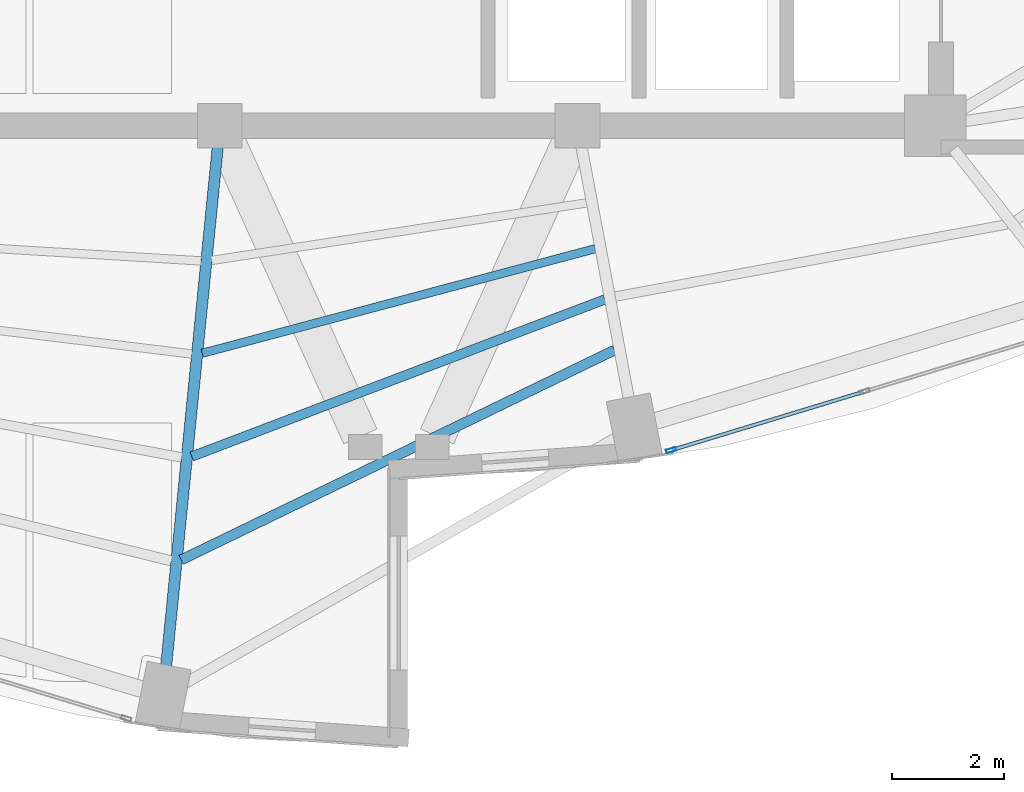
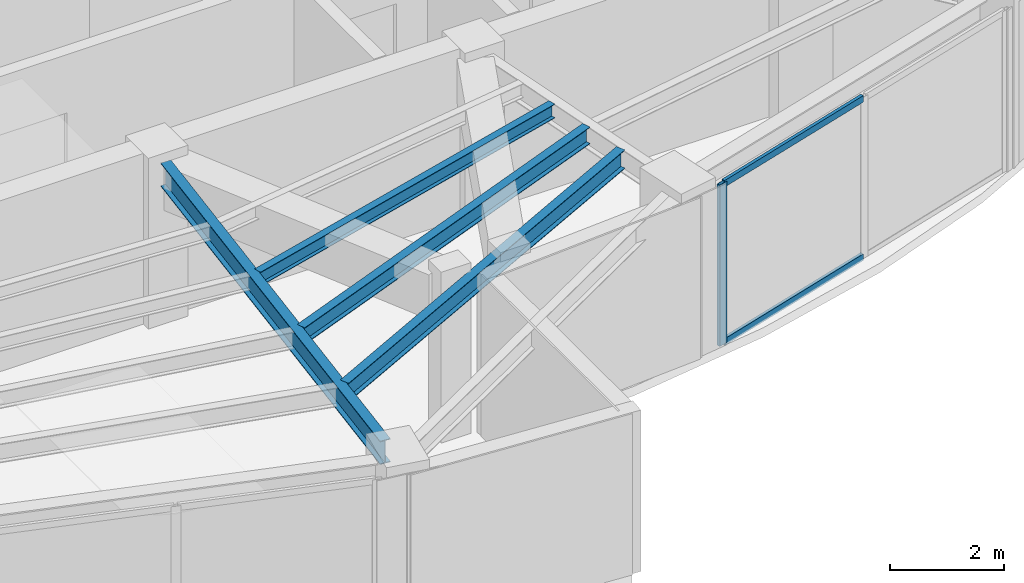
# One storey, part 6 of 22: 4 beams, 3 members, 1 element without a shape of its own.
"""IFC4 building model written with IfcOpenShell, lengths in metres."""

from ifc_helpers import new_model, si_unit, direction, frame, origin, origin_2d, place, context, subcontext, project, spatial, hollow_rectangle, i_section, extrude, material, layer, layer_set, material_profile, profile_set, type_object, element, aggregate, save


model = new_model("IFC4")

# Units and contexts
model_context = context("Model", 3, precision=1e-05, world=origin(), true_north=direction((0.0, 1.0)))
body_context = subcontext(model_context, "Body", "Model", "MODEL_VIEW")
ifc_project = project(units=[si_unit("LENGTHUNIT", "METRE"), si_unit("AREAUNIT", "SQUARE_METRE"), si_unit("VOLUMEUNIT", "CUBIC_METRE"), si_unit("PLANEANGLEUNIT", "RADIAN"), si_unit("MASSUNIT", "GRAM", prefix="KILO")], contexts=[model_context])

# Site, building, storey
site_placement = place(None, origin())
site = spatial("IfcSite", under=ifc_project, at=site_placement, CompositionType="ELEMENT")
building_placement = place(site_placement, origin())
building = spatial("IfcBuilding", under=site, at=building_placement, Name="Lazwardi Medical Tower", CompositionType="ELEMENT")
storey_placement = place(building_placement, frame((0.0, 0.0, 238.60791015625)))
storey = spatial("IfcBuildingStorey", under=building, at=storey_placement, Name="L62", CompositionType="ELEMENT", Elevation=238.60791015625)

# Beams
ifc_material_1 = material(Name="Steel S355", Category="steel")
ifc_material_profile_1 = material_profile(ifc_material_1, i_section(OverallWidth=0.199951171875, OverallDepth=0.5, WebThickness=0.01025390625, FlangeThickness=0.01611328125, at=origin_2d()), Name="IPE 500")
ifc_profile_set_1 = profile_set([ifc_material_profile_1], Name="Steel S355")
beam_type_1 = type_object("IfcBeamType", Name="BM-RG-W3", PredefinedType="BEAM", material=ifc_profile_set_1)
beam_1_placement = place(storey_placement, frame((31.8388671875, 10.734130859375, 3.197998046875), z_axis=(0.098954361922, 0.995091972763, 0.0), x_axis=(-0.995091972763, 0.098954361922, 0.0)))
element("IfcBeam", 1, at=beam_1_placement, inside=storey, type_object=beam_type_1, Name="Radial girder RG-04 R16 L62", PredefinedType="BEAM", context=body_context, shape_type="SweptSolid", body=[
    extrude(i_section(OverallWidth=0.199951171875, OverallDepth=0.5, WebThickness=0.01025390625, FlangeThickness=0.01611328125, at=origin_2d()), origin(), (0.0, 0.0, 1.0), 9.32861328125),
])
ifc_material_profile_2 = material_profile(ifc_material_1, i_section(OverallWidth=0.179931640625, OverallDepth=0.39990234375, WebThickness=0.008544921875, FlangeThickness=0.013427734375, at=origin_2d()), Name="IPE 400")
ifc_profile_set_2 = profile_set([ifc_material_profile_2], Name="Steel S355")
beam_type_2 = type_object("IfcBeamType", Name="BM-SJ-01", PredefinedType="JOIST", material=ifc_profile_set_2)
beam_2_placement = place(storey_placement, frame((32.10888671875, 12.632080078125, 3.248046875), z_axis=(0.900068885459, 0.435747635024, 0.0), x_axis=(-0.435747635024, 0.900068885459, 0.0)))
element("IfcBeam", 2, at=beam_2_placement, inside=storey, type_object=beam_type_2, Name="Secondary joist SJ-01 R1 B16 L62", PredefinedType="JOIST", context=body_context, shape_type="SweptSolid", body=[
    extrude(i_section(OverallWidth=0.179931640625, OverallDepth=0.39990234375, WebThickness=0.008544921875, FlangeThickness=0.013427734375, at=origin_2d()), origin(), (0.0, 0.0, 1.0), 8.612548828125),
])
ifc_material_profile_3 = material_profile(ifc_material_1, i_section(OverallWidth=0.169921875, OverallDepth=0.360107421875, WebThickness=0.008056640625, FlangeThickness=0.0126953125, at=origin_2d()), Name="IPE 360")
ifc_profile_set_3 = profile_set([ifc_material_profile_3], Name="Steel S355")
beam_type_3 = type_object("IfcBeamType", Name="BM-SJ-02", PredefinedType="JOIST", material=ifc_profile_set_3)
beam_3_placement = place(storey_placement, frame((32.296875, 14.48095703125, 3.26806640625), z_axis=(0.934714470268, 0.355399576633, 0.0), x_axis=(-0.355399576633, 0.934714470268, 0.0)))
element("IfcBeam", 3, at=beam_3_placement, inside=storey, type_object=beam_type_3, Name="Secondary joist SJ-02 R2 B16 L62", PredefinedType="JOIST", context=body_context, shape_type="SweptSolid", body=[
    extrude(i_section(OverallWidth=0.169921875, OverallDepth=0.360107421875, WebThickness=0.008056640625, FlangeThickness=0.0126953125, at=origin_2d()), origin(), (0.0, 0.0, 1.0), 7.908203125),
])
ifc_material_profile_4 = material_profile(ifc_material_1, i_section(OverallWidth=0.14990234375, OverallDepth=0.300048828125, WebThickness=0.007080078125, FlangeThickness=0.0107421875, at=origin_2d()), Name="IPE 300")
ifc_profile_set_4 = profile_set([ifc_material_profile_4], Name="Steel S355")
beam_type_4 = type_object("IfcBeamType", Name="BM-SJ-03", PredefinedType="JOIST", material=ifc_profile_set_4)
beam_4_placement = place(storey_placement, frame((32.484619140625, 16.328125, 3.298095703125), z_axis=(0.966369007826, 0.257159368316, 0.0), x_axis=(-0.257159368316, 0.966369007826, 0.0)))
element("IfcBeam", 4, at=beam_4_placement, inside=storey, type_object=beam_type_4, Name="Secondary joist SJ-03 R3 B16 L62", PredefinedType="JOIST", context=body_context, shape_type="SweptSolid", body=[
    extrude(i_section(OverallWidth=0.14990234375, OverallDepth=0.300048828125, WebThickness=0.007080078125, FlangeThickness=0.0107421875, at=origin_2d()), origin(), (0.0, 0.0, 1.0), 7.27685546875),
])

# Curtain wall, members
ifc_material_2 = material(Name="Anodised bronze aluminium and solar control glazing", Category="aluminium")
ifc_layer = layer(ifc_material_2, 0.18994140625)
ifc_layer_set = layer_set([ifc_layer], Name="Anodised bronze aluminium and solar control glazing")
curtain_wall_type = type_object("IfcCurtainWallType", Name="CW-SYS-04", PredefinedType="NOTDEFINED", material=ifc_layer_set)
curtain_wall_placement = place(storey_placement, origin())
curtain_wall = element("IfcCurtainWall", 5, at=curtain_wall_placement, inside=storey, type_object=curtain_wall_type, Name="L62 Unitised bronze curtain wall CW-04", PredefinedType="NOTDEFINED")
ifc_material_3 = material(Name="Anodised bronze aluminium", Category="aluminium")
ifc_material_profile_5 = material_profile(ifc_material_3, hollow_rectangle(XDim=0.06494140625, YDim=0.179931640625, WallThickness=0.00390625, at=origin_2d()), Name="ALU-MULLION 180x65x4")
ifc_profile_set_5 = profile_set([ifc_material_profile_5], Name="Anodised bronze aluminium")
member_type_1 = type_object("IfcMemberType", Name="CW-MUL-03", PredefinedType="MULLION", material=ifc_profile_set_5)
member_1_placement = place(storey_placement, frame((40.873046875, 14.593017578125, 0.0), z_axis=(0.0, 0.0, 1.0), x_axis=(-0.290581889515, 0.956850126972, 0.0)))
member_1 = element("IfcMember", 6, at=member_1_placement, type_object=member_type_1, Name="CW-04 mullion 1", PredefinedType="MULLION", context=body_context, shape_type="SweptSolid", body=[
    extrude(hollow_rectangle(XDim=0.06494140625, YDim=0.179931640625, WallThickness=0.00390625, at=origin_2d()), origin(), (0.0, 0.0, 1.0), 3.447998046875),
])
ifc_material_profile_6 = material_profile(ifc_material_3, hollow_rectangle(XDim=0.06494140625, YDim=0.139892578125, WallThickness=0.00341796875, at=origin_2d()), Name="ALU-TRANSOM 140x65x3.5")
ifc_profile_set_6 = profile_set([ifc_material_profile_6], Name="Anodised bronze aluminium")
member_type_2 = type_object("IfcMemberType", Name="CW-TRN-03", PredefinedType="USERDEFINED", material=ifc_profile_set_6)
member_2_placement = place(storey_placement, frame((40.904296875, 14.602294921875, 0.032470703125), z_axis=(0.956843409009, 0.290604010015, 0.0), x_axis=(-0.290604010015, 0.956843409009, 0.0)))
member_2 = element("IfcMember", 7, at=member_2_placement, type_object=member_type_2, Name="CW-04 transom 1.1", ObjectType="TRANSOM", PredefinedType="USERDEFINED", context=body_context, shape_type="SweptSolid", body=[
    extrude(hollow_rectangle(XDim=0.06494140625, YDim=0.139892578125, WallThickness=0.00341796875, at=origin_2d()), origin(), (0.0, 0.0, 1.0), 3.554443359375),
])
member_3_placement = place(storey_placement, frame((40.904296875, 14.602294921875, 3.41552734375), z_axis=(0.956843409009, 0.290604010015, 0.0), x_axis=(-0.290604010015, 0.956843409009, 0.0)))
member_3 = element("IfcMember", 8, at=member_3_placement, type_object=member_type_2, Name="CW-04 transom 1.2", ObjectType="TRANSOM", PredefinedType="USERDEFINED", context=body_context, shape_type="SweptSolid", body=[
    extrude(hollow_rectangle(XDim=0.06494140625, YDim=0.139892578125, WallThickness=0.00341796875, at=origin_2d()), origin(), (0.0, 0.0, 1.0), 3.554443359375),
])
aggregate(curtain_wall, [member_1, member_2, member_3])

save(model, "model.ifc")
